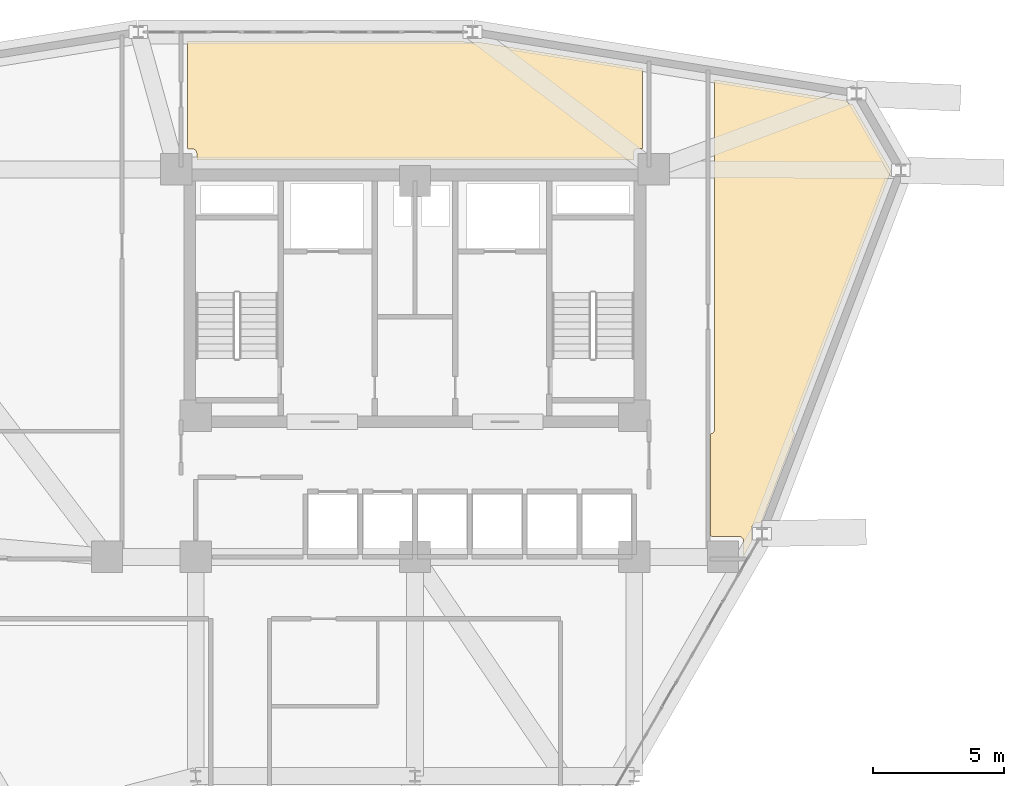
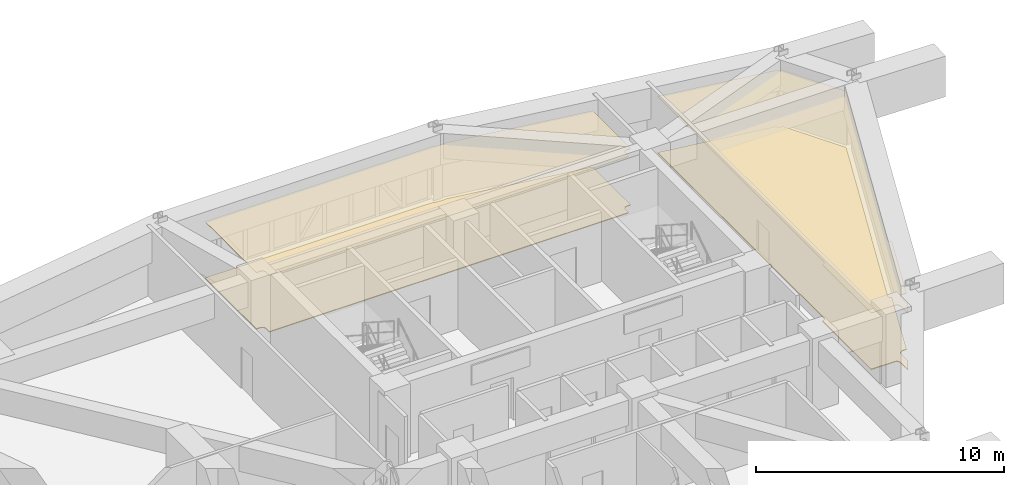
# One storey, part 15 of 15: 4 coverings.
"""IFC4 building model written with IfcOpenShell, lengths in metres."""

from ifc_helpers import new_model, si_unit, derived_unit, direction, frame, origin, place, context, subcontext, project, spatial, polyline, outline, extrude, material, layer, layer_set, type_object, element, save


model = new_model("IFC4")

# Units and contexts
model_context = context("Model", 3, precision=1e-05, world=origin(), true_north=direction((0.0, 1.0)))
body_context = subcontext(model_context, "Body", "Model", "MODEL_VIEW")
ifc_project = project(units=[si_unit("LENGTHUNIT", "METRE"), si_unit("AREAUNIT", "SQUARE_METRE"), si_unit("VOLUMEUNIT", "CUBIC_METRE"), si_unit("PLANEANGLEUNIT", "RADIAN"), si_unit("MASSUNIT", "GRAM", prefix="KILO"), derived_unit("THERMALTRANSMITTANCEUNIT", [(si_unit("POWERUNIT", "WATT"), 1), (si_unit("LENGTHUNIT", "METRE"), -2), (si_unit("THERMODYNAMICTEMPERATUREUNIT", "KELVIN"), -1)])], contexts=[model_context])

# Site, building, storey
site_placement = place(None, origin())
site = spatial("IfcSite", under=ifc_project, at=site_placement, CompositionType="ELEMENT")
building_placement = place(site_placement, origin())
building = spatial("IfcBuilding", under=site, at=building_placement, Name="Korsvarv Bourse and Concert Hall", CompositionType="ELEMENT")
storey_placement = place(building_placement, frame((0.0, 0.0, 165.0)))
storey = spatial("IfcBuildingStorey", under=building, at=storey_placement, Name="L42", CompositionType="ELEMENT", Elevation=165.0)

# Coverings
ifc_material_1 = material(Name="Perforated mineral-wool and birch acoustic baffle ceiling", Category="wood")
ifc_layer_1 = layer(ifc_material_1, 0.02490234375)
ifc_layer_set_1 = layer_set([ifc_layer_1], Name="Perforated mineral-wool and birch acoustic baffle ceiling")
covering_type_1 = type_object("IfcCoveringType", Name="COV-CEIL-1", PredefinedType="CEILING", material=ifc_layer_set_1)
covering_1_placement = place(storey_placement, frame((0.0, 0.0, 2.780029296875)))
element("IfcCovering", 1, at=covering_1_placement, inside=storey, type_object=covering_type_1, Name="L42 acoustic baffle ceiling 2", PredefinedType="CEILING", context=body_context, shape_type="SweptSolid", body=[
    extrude(outline(polyline([(47.320068359375, 37.111328125), (47.34521484375, 37.11572265625), (47.37939453125, 37.12841796875), (47.41015625, 37.147705078125), (47.4365234375, 37.1728515625), (47.45751953125, 37.20263671875), (47.4716796875, 37.236083984375), (47.47900390625, 37.271728515625), (47.47998046875, 50.677490234375), (52.53515625, 49.867919921875), (52.544921875, 49.8466796875), (52.5654296875, 49.81689453125), (52.591552734375, 49.791748046875), (52.6220703125, 49.7724609375), (52.656005859375, 49.759521484375), (52.691650390625, 49.753662109375), (52.7578125, 49.749755859375), (54.21826171875, 47.2197265625), (54.21826171875, 47.1298828125), (50.480712890625, 37.343505859375), (50.471435546875, 37.308349609375), (50.468994140625, 37.272216796875), (50.474365234375, 37.236083984375), (50.486572265625, 37.201904296875), (50.505615234375, 37.170654296875), (50.5302734375, 37.14404296875), (50.559814453125, 37.122802734375), (49.259765625, 33.697509765625), (49.0908203125, 33.697509765625), (49.05615234375, 33.694091796875), (49.022705078125, 33.684326171875), (48.991943359375, 33.668212890625), (48.96484375, 33.646240234375), (48.9423828125, 33.61962890625), (48.925537109375, 33.58935546875), (48.914794921875, 33.55615234375), (48.91064453125, 33.521484375), (48.900634765625, 33.07666015625), (48.9033203125, 33.04150390625), (48.9130859375, 33.00732421875), (48.590087890625, 32.426025390625), (48.590087890625, 33.0), (48.586669921875, 33.034912109375), (48.576416015625, 33.068603515625), (48.56005859375, 33.099609375), (48.537841796875, 33.126708984375), (48.5107421875, 33.149169921875), (48.47998046875, 33.166015625), (48.4462890625, 33.17626953125), (48.41162109375, 33.179931640625), (47.320068359375, 33.18896484375), (47.320068359375, 37.111328125)])), origin(), (0.0, 0.0, 1.0), 0.02490234375),
])
covering_2_placement = place(storey_placement, frame((0.0, 0.0, 2.780029296875)))
element("IfcCovering", 2, at=covering_2_placement, inside=storey, type_object=covering_type_1, Name="L42 acoustic baffle ceiling 3", PredefinedType="CEILING", context=body_context, shape_type="SweptSolid", body=[
    extrude(outline(polyline([(37.856689453125, 52.164306640625), (37.88330078125, 52.141845703125), (37.913818359375, 52.125), (37.94677734375, 52.1142578125), (37.981201171875, 52.110107421875), (38.4033203125, 52.10009765625), (38.438720703125, 52.102783203125), (38.47265625, 52.1123046875), (44.710693359375, 51.111572265625), (44.7099609375, 48.0400390625), (44.550048828125, 48.0400390625), (44.515380859375, 48.03662109375), (44.482177734375, 48.026611328125), (44.451416015625, 48.010498046875), (44.42431640625, 47.98876953125), (44.40185546875, 47.962158203125), (44.385009765625, 47.931640625), (44.374267578125, 47.898681640625), (44.3701171875, 47.864013671875), (44.364013671875, 47.60009765625), (27.639892578125, 47.60009765625), (27.639892578125, 47.85009765625), (27.63671875, 47.884521484375), (27.626708984375, 47.917724609375), (27.610595703125, 47.948486328125), (27.589111328125, 47.975341796875), (27.562744140625, 47.997802734375), (27.532470703125, 48.014892578125), (27.49951171875, 48.025634765625), (27.465087890625, 48.02978515625), (27.2900390625, 48.034912109375), (27.2900390625, 52.16748046875), (37.856689453125, 52.164306640625)])), origin(), (0.0, 0.0, 1.0), 0.02490234375),
])
ifc_material_2 = material(Name="Calcium-sulphate raised access trading floor with Nordic oak top", Category="wood")
ifc_layer_2 = layer(ifc_material_2, 0.0400390625)
ifc_layer_set_2 = layer_set([ifc_layer_2], Name="Calcium-sulphate raised access trading floor with Nordic oak top")
covering_type_2 = type_object("IfcCoveringType", Name="COV-FLOR-1", PredefinedType="FLOORING", material=ifc_layer_set_2)
covering_3_placement = place(storey_placement, origin())
element("IfcCovering", 3, at=covering_3_placement, inside=storey, type_object=covering_type_2, Name="L42 raised access oak floor finish 2", PredefinedType="FLOORING", context=body_context, shape_type="SweptSolid", body=[
    extrude(outline(polyline([(47.320068359375, 37.111328125), (47.34521484375, 37.11572265625), (47.37939453125, 37.12841796875), (47.41015625, 37.147705078125), (47.4365234375, 37.1728515625), (47.45751953125, 37.20263671875), (47.4716796875, 37.236083984375), (47.47900390625, 37.271728515625), (47.47998046875, 50.677490234375), (52.53515625, 49.867919921875), (52.544921875, 49.8466796875), (52.5654296875, 49.81689453125), (52.591552734375, 49.791748046875), (52.6220703125, 49.7724609375), (52.656005859375, 49.759521484375), (52.691650390625, 49.753662109375), (52.7578125, 49.749755859375), (54.21826171875, 47.2197265625), (54.21826171875, 47.1298828125), (50.480712890625, 37.343505859375), (50.471435546875, 37.308349609375), (50.468994140625, 37.272216796875), (50.474365234375, 37.236083984375), (50.486572265625, 37.201904296875), (50.505615234375, 37.170654296875), (50.5302734375, 37.14404296875), (50.559814453125, 37.122802734375), (49.259765625, 33.697509765625), (49.0908203125, 33.697509765625), (49.05615234375, 33.694091796875), (49.022705078125, 33.684326171875), (48.991943359375, 33.668212890625), (48.96484375, 33.646240234375), (48.9423828125, 33.61962890625), (48.925537109375, 33.58935546875), (48.914794921875, 33.55615234375), (48.91064453125, 33.521484375), (48.900634765625, 33.07666015625), (48.9033203125, 33.04150390625), (48.9130859375, 33.00732421875), (48.590087890625, 32.426025390625), (48.590087890625, 33.0), (48.586669921875, 33.034912109375), (48.576416015625, 33.068603515625), (48.56005859375, 33.099609375), (48.537841796875, 33.126708984375), (48.5107421875, 33.149169921875), (48.47998046875, 33.166015625), (48.4462890625, 33.17626953125), (48.41162109375, 33.179931640625), (47.320068359375, 33.18896484375), (47.320068359375, 37.111328125)])), origin(), (0.0, 0.0, 1.0), 0.0400390625),
])
covering_4_placement = place(storey_placement, origin())
element("IfcCovering", 4, at=covering_4_placement, inside=storey, type_object=covering_type_2, Name="L42 raised access oak floor finish 3", PredefinedType="FLOORING", context=body_context, shape_type="SweptSolid", body=[
    extrude(outline(polyline([(37.856689453125, 52.164306640625), (37.88330078125, 52.141845703125), (37.913818359375, 52.125), (37.94677734375, 52.1142578125), (37.981201171875, 52.110107421875), (38.4033203125, 52.10009765625), (38.438720703125, 52.102783203125), (38.47265625, 52.1123046875), (44.710693359375, 51.111572265625), (44.7099609375, 48.0400390625), (44.550048828125, 48.0400390625), (44.515380859375, 48.03662109375), (44.482177734375, 48.026611328125), (44.451416015625, 48.010498046875), (44.42431640625, 47.98876953125), (44.40185546875, 47.962158203125), (44.385009765625, 47.931640625), (44.374267578125, 47.898681640625), (44.3701171875, 47.864013671875), (44.364013671875, 47.60009765625), (27.639892578125, 47.60009765625), (27.639892578125, 47.85009765625), (27.63671875, 47.884521484375), (27.626708984375, 47.917724609375), (27.610595703125, 47.948486328125), (27.589111328125, 47.975341796875), (27.562744140625, 47.997802734375), (27.532470703125, 48.014892578125), (27.49951171875, 48.025634765625), (27.465087890625, 48.02978515625), (27.2900390625, 48.034912109375), (27.2900390625, 52.16748046875), (37.856689453125, 52.164306640625)])), origin(), (0.0, 0.0, 1.0), 0.0400390625),
])

save(model, "model.ifc")
